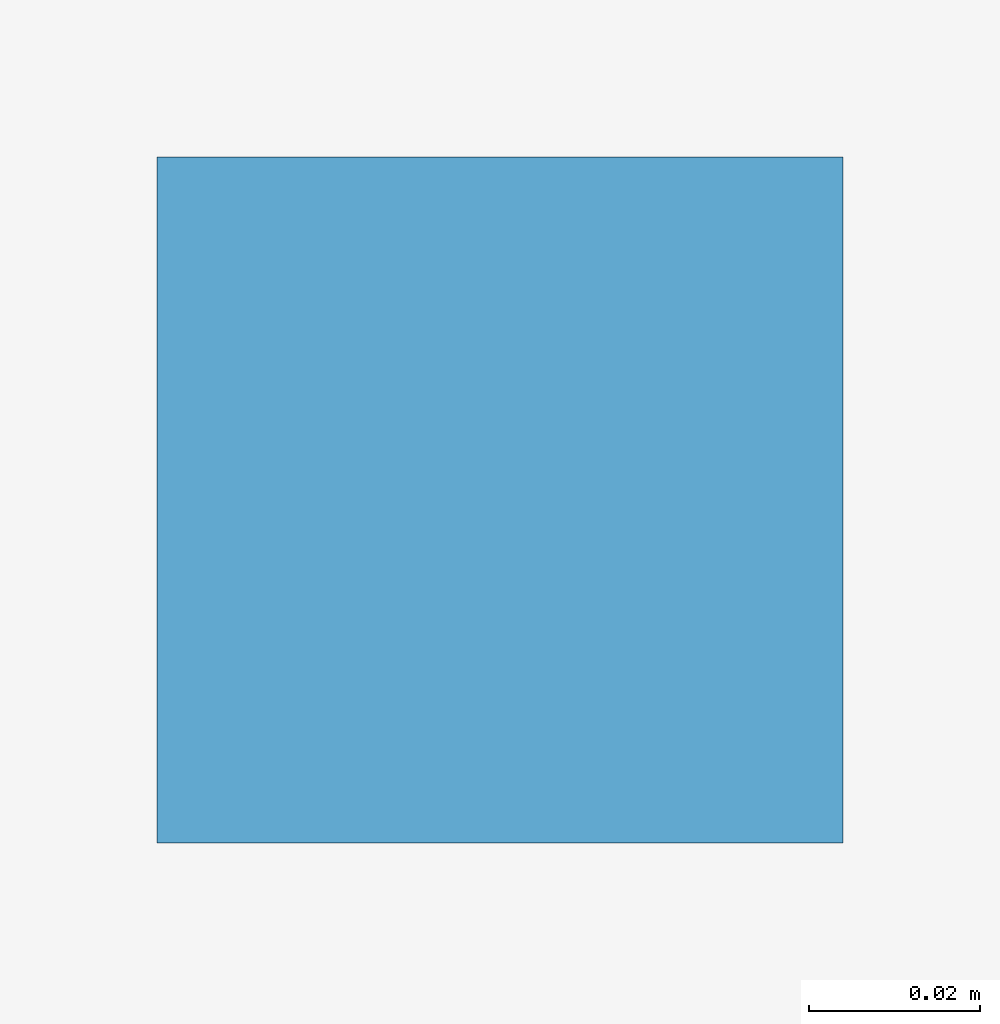
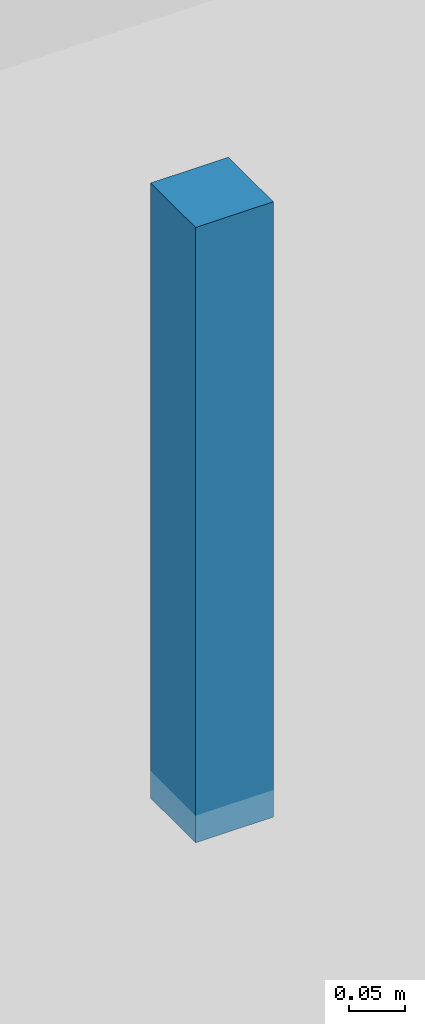
# One storey, part 11 of 16: 1 discrete accessory.
"""IFC4 building model written with IfcOpenShell, lengths in metres."""

from ifc_helpers import new_model, si_unit, direction, frame, origin, origin_2d, place, context, subcontext, project, spatial, rectangle, extrude, source, transform, mapped, material, type_object, element, save


model = new_model("IFC4")

# Units and contexts
model_context = context("Model", 3, precision=1e-05, world=origin(), true_north=direction((0.0, 1.0)))
body_context = subcontext(model_context, "Body", "Model", "MODEL_VIEW")
ifc_project = project(units=[si_unit("LENGTHUNIT", "METRE"), si_unit("AREAUNIT", "SQUARE_METRE"), si_unit("VOLUMEUNIT", "CUBIC_METRE"), si_unit("PLANEANGLEUNIT", "RADIAN"), si_unit("MASSUNIT", "GRAM", prefix="KILO")], contexts=[model_context])

# Site, building, storey
site_placement = place(None, origin())
site = spatial("IfcSite", under=ifc_project, at=site_placement, CompositionType="ELEMENT")
building_placement = place(site_placement, origin())
building = spatial("IfcBuilding", under=site, at=building_placement, Name="Giltprow Tower", CompositionType="ELEMENT")
storey_placement = place(building_placement, frame((0.0, 0.0, 209.699951171875)))
storey = spatial("IfcBuildingStorey", under=building, at=storey_placement, Name="L53", CompositionType="ELEMENT", Elevation=209.699951171875)

# Discrete accessory
ifc_material = material(Name="Structural steel Q355B", Category="steel")
discrete_accessory_type = type_object("IfcDiscreteAccessoryType", Name="ACC-CLG-HANGER", PredefinedType="BRACKET", material=ifc_material)
shared_shape = source(origin(), body_context, "Body", "SweptSolid", [
    extrude(rectangle(XDim=0.080078125, YDim=0.080078125, at=origin_2d()), origin(), (0.0, 0.0, 1.0), 0.669921875),
])
discrete_accessory_placement = place(storey_placement, frame((35.0, 35.89990234375, 2.6201171875), z_axis=(0.0, 0.0, 1.0), x_axis=(1.0, 0.0, 0.0)))
element("IfcDiscreteAccessory", 1, at=discrete_accessory_placement, inside=storey, type_object=discrete_accessory_type, Name="L53 Hotel Corridor Gypsum Ceiling Suspension Hanger", PredefinedType="BRACKET", context=body_context, shape_type="MappedRepresentation", body=[
    mapped(shared_shape, transform((0.0, 0.0, 0.0), x_axis=(1.0, 0.0, 0.0), y_axis=(0.0, 1.0, 0.0), z_axis=(0.0, 0.0, 1.0), scale=1.0)),
])

save(model, "model.ifc")
